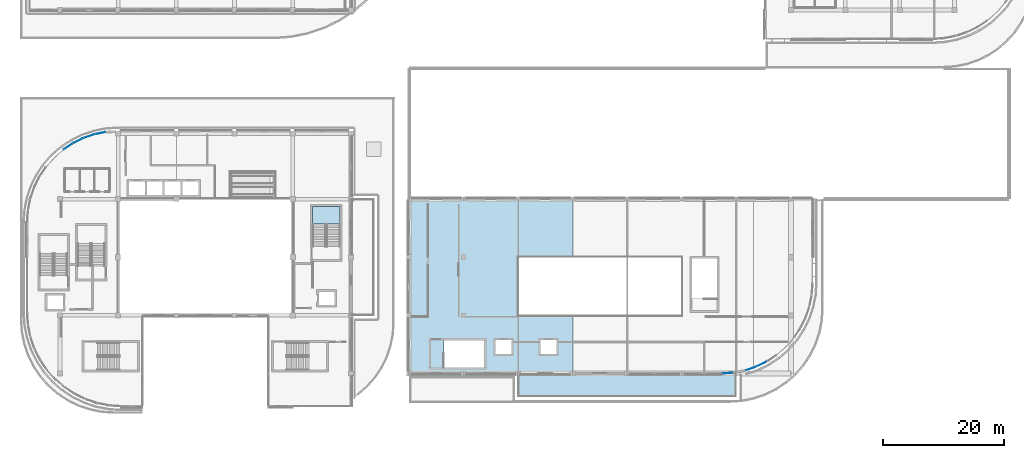
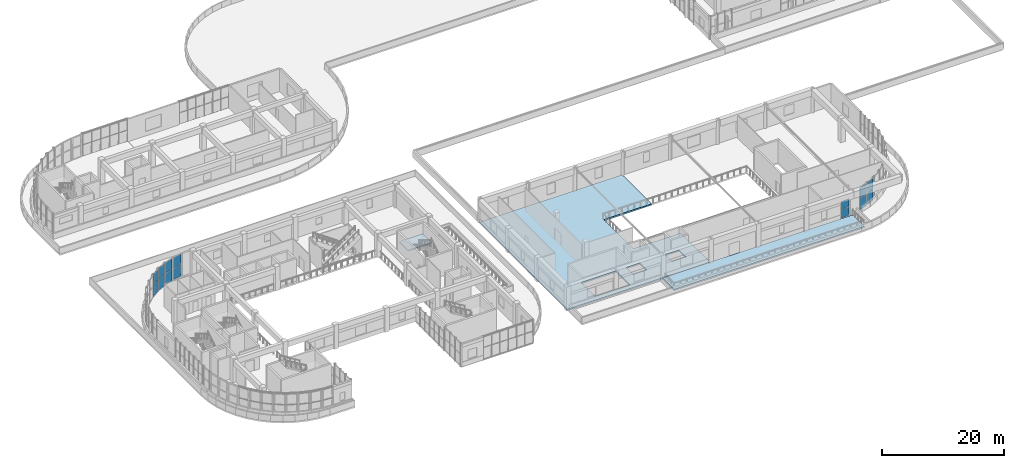
# One storey, part 28 of 67: 14 plates, 3 slabs, 8 elements without a shape of their own.
"""IFC4 building model written with IfcOpenShell, lengths in metres."""

import ifcopenshell
import ifcopenshell.guid

model = None  # the IFC model being written
_history = None  # IfcOwnerHistory: only IFC2X3 demands one
_inside = {}  # id of a spatial element -> (the spatial element, [elements in it])
_under = {}  # id of a project, library or spatial element -> (it, [spatial elements below it])
_declared = {}  # id of a project -> (the project, [libraries it declares])
_typed = {}  # id of a type object -> (the type object, [elements of that type])
_made_of = {}  # id of a material, layer set ... -> (it, [elements and type objects made of it])


def new_model(schema):
    """Start an empty IFC model of exactly this schema.

    Asked for "IFC4X3", IfcOpenShell would pick the latest addendum, in which some entities
    have other attributes; the version numbers below select the first issue.
    IFC2X3 requires an IfcOwnerHistory on every rooted entity: one is made here for all.
    """
    global model, _history
    if schema == "IFC4X3":
        model = ifcopenshell.file(schema_version=(4, 3, 0, 0))
    else:
        model = ifcopenshell.file(schema=schema)
    _inside.clear()
    _under.clear()
    _declared.clear()
    _typed.clear()
    _made_of.clear()
    _history = None
    if model.schema == "IFC2X3":
        org = make("IfcOrganization", Name="unknown")
        user = make(
            "IfcPersonAndOrganization",
            ThePerson=make("IfcPerson", FamilyName="unknown"),
            TheOrganization=org,
        )
        app = make(
            "IfcApplication",
            ApplicationDeveloper=org,
            Version="unknown",
            ApplicationFullName="unknown",
            ApplicationIdentifier="unknown",
        )
        _history = make(
            "IfcOwnerHistory",
            OwningUser=user,
            OwningApplication=app,
            ChangeAction="ADDED",
            CreationDate=0,
        )
    return model


def make(cls, **values):
    """One entity of the class cls with the attributes given. An attribute that is None is left unset."""
    return model.create_entity(
        cls, **{name: value for name, value in values.items() if value is not None}
    )


def rooted(cls, **values):
    """An entity with a GlobalId (a new one), such as an element, a storey or a relation."""
    return make(cls, GlobalId=ifcopenshell.guid.new(), OwnerHistory=_history, **values)


def si_unit(unit_type, name, prefix=None):
    """IfcSIUnit, for example si_unit("LENGTHUNIT", "METRE", prefix="MILLI")."""
    return make("IfcSIUnit", UnitType=unit_type, Prefix=prefix, Name=name)


def assignment(units):
    """IfcUnitAssignment: the units of a project."""
    return None if units is None else make("IfcUnitAssignment", Units=units)


def point(xyz):
    """IfcCartesianPoint."""
    return None if xyz is None else make("IfcCartesianPoint", Coordinates=xyz)


def direction(xyz):
    """IfcDirection."""
    return None if xyz is None else make("IfcDirection", DirectionRatios=xyz)


def frame(location, z_axis=None, x_axis=None):
    """IfcAxis2Placement3D, a coordinate frame: its origin and axes. An axis left out is left unset."""
    return make(
        "IfcAxis2Placement3D",
        Location=point(location),
        Axis=direction(z_axis),
        RefDirection=direction(x_axis),
    )


def frame_2d(location, x_axis=None):
    """IfcAxis2Placement2D, a coordinate frame in the plane: its origin and x axis."""
    return make(
        "IfcAxis2Placement2D", Location=point(location), RefDirection=direction(x_axis)
    )


def origin():
    """The frame at (0, 0, 0) with its axes left unset."""
    return frame((0.0, 0.0, 0.0))


def origin_2d():
    """The frame at (0, 0) in the plane with its x axis left unset."""
    return frame_2d((0.0, 0.0))


def place(relative_to, where):
    """IfcLocalPlacement: puts the frame where relative to a parent placement (None: the world)."""
    return make(
        "IfcLocalPlacement", PlacementRelTo=relative_to, RelativePlacement=where
    )


def context(
    kind, dimensions, precision=None, world=None, true_north=None, identifier=None
):
    """IfcGeometricRepresentationContext, for example the 3D "Model" context."""
    return make(
        "IfcGeometricRepresentationContext",
        ContextIdentifier=identifier,
        ContextType=kind,
        CoordinateSpaceDimension=dimensions,
        Precision=precision,
        WorldCoordinateSystem=world,
        TrueNorth=true_north,
    )


def subcontext(parent, identifier, kind, view, scale=None):
    """IfcGeometricRepresentationSubContext, for example "Body" below "Model"."""
    return make(
        "IfcGeometricRepresentationSubContext",
        ContextIdentifier=identifier,
        ContextType=kind,
        ParentContext=parent,
        TargetScale=scale,
        TargetView=view,
    )


def project(units=None, contexts=None):
    """IfcProject with its units and contexts."""
    return rooted(
        "IfcProject",
        Name="project",
        RepresentationContexts=contexts,
        UnitsInContext=assignment(units),
    )


def spatial(cls, under=None, at=None, **own):
    """A site, building, storey or space (cls), placed at a placement, below another one or the project."""
    s = rooted(cls, ObjectPlacement=at, **own)
    if under is not None:
        _under.setdefault(under.id(), (under, []))[1].append(s)
    return s


def polyline(points):
    """IfcPolyline through the points."""
    return make("IfcPolyline", Points=[point(p) for p in points])


def profile(cls, at=None, kind="AREA", **sizes):
    """A parametric profile (cls). Its sizes go by their IFC names, for example OverallWidth=200.0."""
    return make(cls, ProfileType=kind, Position=at, **sizes)


def rectangle(**sizes):
    """IfcRectangleProfileDef."""
    return profile("IfcRectangleProfileDef", **sizes)


def outline(outer, holes=None, kind="AREA"):
    """IfcArbitraryClosedProfileDef: a profile drawn as a closed curve; with holes, ...WithVoids."""
    if holes is None:
        return make("IfcArbitraryClosedProfileDef", ProfileType=kind, OuterCurve=outer)
    return make(
        "IfcArbitraryProfileDefWithVoids",
        ProfileType=kind,
        OuterCurve=outer,
        InnerCurves=holes,
    )


def extrude(swept, where, along, depth):
    """IfcExtrudedAreaSolid: the profile swept, set in the frame where, extruded along a direction by depth."""
    return make(
        "IfcExtrudedAreaSolid",
        SweptArea=swept,
        Position=where,
        ExtrudedDirection=direction(along),
        Depth=depth,
    )


def shape(context_of_items, identifier, shape_type, items):
    """IfcShapeRepresentation: the items that make up one representation, for example the "Body"."""
    return make(
        "IfcShapeRepresentation",
        ContextOfItems=context_of_items,
        RepresentationIdentifier=identifier,
        RepresentationType=shape_type,
        Items=items,
    )


def material(Name=None, Category=None):
    """IfcMaterial."""
    return make("IfcMaterial", Name=Name, Category=Category)


def layer(
    of_material, thickness, ventilated=None, Name=None, Category=None, Priority=None
):
    """IfcMaterialLayer: one layer of a wall or slab, of a material (None: an air gap)."""
    return make(
        "IfcMaterialLayer",
        Material=of_material,
        LayerThickness=thickness,
        IsVentilated=ventilated,
        Name=Name,
        Category=Category,
        Priority=Priority,
    )


def layer_set(layers, Name=None):
    """IfcMaterialLayerSet."""
    return make("IfcMaterialLayerSet", MaterialLayers=layers, LayerSetName=Name)


def made_of(thing, what):
    """Note that an element or type object is made of a material, layer set ...; save() writes the relation."""
    if what is not None:
        _made_of.setdefault(what.id(), (what, []))[1].append(thing)
    return thing


def type_object(cls, material=None, **own):
    """A type object (cls), such as IfcWallType, which elements share."""
    return made_of(rooted(cls, **own), material)


def element(
    cls,
    number,
    at=None,
    inside=None,
    cuts=None,
    type_object=None,
    material=None,
    context=None,
    identifier="Body",
    shape_type=None,
    held_by="IfcProductDefinitionShape",
    body=None,
    shapes=None,
    **own,
):
    """One element of the class cls, such as IfcWall. Its Tag is "e" and its number.

    at: its placement. inside: the storey or other place that contains it. cuts: it is an
    opening in that element (IfcRelVoidsElement). A single representation is given by context,
    identifier, shape_type and body (its items); several are given by shapes. held_by: the class
    of the entity that holds the representations. save() writes the other relations.
    """
    e = rooted(cls, Tag="e%d" % number, ObjectPlacement=at, **own)
    if body is not None:
        shapes = [shape(context, identifier, shape_type, body)]
    if shapes is not None:
        e.Representation = make(held_by, Representations=shapes)
    if inside is not None:
        _inside.setdefault(inside.id(), (inside, []))[1].append(e)
    if cuts is not None:
        rooted(
            "IfcRelVoidsElement", RelatingBuildingElement=cuts, RelatedOpeningElement=e
        )
    if type_object is not None:
        _typed.setdefault(type_object.id(), (type_object, []))[1].append(e)
    return made_of(e, material)


def aggregate(whole, parts):
    """IfcRelAggregates: a whole, such as a stair, and the parts it consists of."""
    return rooted("IfcRelAggregates", RelatingObject=whole, RelatedObjects=parts)


def save(model, path):
    """Write the relations noted so far, then the file.

    IfcRelAggregates (storeys below a building ...), IfcRelContainedInSpatialStructure (elements
    in a storey), IfcRelDefinesByType, IfcRelAssociatesMaterial and IfcRelDeclares: one each for
    every whole, place, type object, material and project.
    """
    for whole, parts in _under.values():
        aggregate(whole, parts)
    for where, things in _inside.values():
        rooted(
            "IfcRelContainedInSpatialStructure",
            RelatedElements=things,
            RelatingStructure=where,
        )
    for kind, things in _typed.values():
        rooted("IfcRelDefinesByType", RelatedObjects=things, RelatingType=kind)
    for what, things in _made_of.values():
        rooted("IfcRelAssociatesMaterial", RelatedObjects=things, RelatingMaterial=what)
    for by, libraries in _declared.values():
        rooted("IfcRelDeclares", RelatingContext=by, RelatedDefinitions=libraries)
    model.write(path)


model = new_model("IFC4")

# Units and contexts
model_context = context("Model", 3, precision=1e-05, world=origin(), true_north=direction((0.0, 1.0)))
body_context = subcontext(model_context, "Body", "Model", "MODEL_VIEW")
ifc_project = project(units=[si_unit("LENGTHUNIT", "METRE"), si_unit("AREAUNIT", "SQUARE_METRE"), si_unit("VOLUMEUNIT", "CUBIC_METRE"), si_unit("PLANEANGLEUNIT", "RADIAN"), si_unit("MASSUNIT", "GRAM", prefix="KILO")], contexts=[model_context])

# Site, building, storey
site_placement = place(None, origin())
site = spatial("IfcSite", under=ifc_project, at=site_placement, CompositionType="ELEMENT")
building_placement = place(site_placement, origin())
building = spatial("IfcBuilding", under=site, at=building_placement, Name="Cendralis Terraced Arcade", CompositionType="ELEMENT")
storey_placement = place(building_placement, frame((0.0, 0.0, 15.0)))
storey = spatial("IfcBuildingStorey", under=building, at=storey_placement, Name="L03", CompositionType="ELEMENT", Elevation=15.0)

# Curtain wall, plates
ifc_material_1 = material(Name="Anodised aluminium EN AW-6063 T6", Category="aluminium")
ifc_layer_1 = layer(ifc_material_1, 0.179931640625, Name="CW-UNIT-A")
ifc_layer_set_1 = layer_set([ifc_layer_1], Name="Anodised aluminium EN AW-6063 T6")
curtain_wall_type = type_object("IfcCurtainWallType", Name="CW-UNIT-A", PredefinedType="USERDEFINED", material=ifc_layer_set_1)
curtain_wall_1_placement = place(storey_placement, origin())
curtain_wall_1 = element("IfcCurtainWall", 1, at=curtain_wall_1_placement, inside=storey, type_object=curtain_wall_type, Name="Exterior Unitised Facade CW-L03-0267", ObjectType="UNITISED FACADE", PredefinedType="USERDEFINED")
ifc_material_2 = material(Name="Tempered solar control laminated glass", Category="glass")
ifc_layer_2 = layer(ifc_material_2, 0.035888671875, Name="CW-UNIT-A-PNL")
ifc_layer_set_2 = layer_set([ifc_layer_2], Name="Tempered solar control laminated glass")
plate_type = type_object("IfcPlateType", Name="CW-UNIT-A-PNL", PredefinedType="CURTAIN_PANEL", material=ifc_layer_set_2)
plate_1_placement = place(storey_placement, frame((125.420166015625, 11.17578125, 0.06494140625), z_axis=(0.0, 0.0, 1.0), x_axis=(-0.896871480419, -0.442291247495, 0.0)))
plate_1 = element("IfcPlate", 2, at=plate_1_placement, type_object=plate_type, Name="CW-U1 panel 1.1", PredefinedType="CURTAIN_PANEL", context=body_context, shape_type="SweptSolid", body=[
    extrude(rectangle(XDim=1.652099609375, YDim=0.035888671875, at=origin_2d()), origin(), (0.0, 0.0, 1.0), 2.2529296875),
])
plate_2_placement = place(storey_placement, frame((125.420166015625, 11.17578125, 2.3828125), z_axis=(0.0, 0.0, 1.0), x_axis=(-0.896871480419, -0.442291247495, 0.0)))
plate_2 = element("IfcPlate", 3, at=plate_2_placement, type_object=plate_type, Name="CW-U1 panel 1.2", PredefinedType="CURTAIN_PANEL", context=body_context, shape_type="SweptSolid", body=[
    extrude(rectangle(XDim=1.652099609375, YDim=0.035888671875, at=origin_2d()), origin(), (0.0, 0.0, 1.0), 2.072021484375),
])
aggregate(curtain_wall_1, [plate_1, plate_2])

curtain_wall_2_placement = place(storey_placement, origin())
curtain_wall_2 = element("IfcCurtainWall", 4, at=curtain_wall_2_placement, inside=storey, type_object=curtain_wall_type, Name="Exterior Unitised Facade CW-L03-0268", ObjectType="UNITISED FACADE", PredefinedType="USERDEFINED")
plate_3_placement = place(storey_placement, frame((123.611328125, 10.426513671875, 0.06494140625), z_axis=(0.0, 0.0, 1.0), x_axis=(-0.946923811316, -0.321458077458, 0.0)))
plate_3 = element("IfcPlate", 5, at=plate_3_placement, type_object=plate_type, Name="CW-U1 panel 1.1", PredefinedType="CURTAIN_PANEL", context=body_context, shape_type="SweptSolid", body=[
    extrude(rectangle(XDim=1.652099609375, YDim=0.035888671875, at=origin_2d()), origin(), (0.0, 0.0, 1.0), 2.2529296875),
])
plate_4_placement = place(storey_placement, frame((123.611328125, 10.426513671875, 2.3828125), z_axis=(0.0, 0.0, 1.0), x_axis=(-0.946923811316, -0.321458077458, 0.0)))
plate_4 = element("IfcPlate", 6, at=plate_4_placement, type_object=plate_type, Name="CW-U1 panel 1.2", PredefinedType="CURTAIN_PANEL", context=body_context, shape_type="SweptSolid", body=[
    extrude(rectangle(XDim=1.652099609375, YDim=0.035888671875, at=origin_2d()), origin(), (0.0, 0.0, 1.0), 2.072021484375),
])
aggregate(curtain_wall_2, [plate_3, plate_4])

curtain_wall_3_placement = place(storey_placement, origin())
curtain_wall_3 = element("IfcCurtainWall", 7, at=curtain_wall_3_placement, inside=storey, type_object=curtain_wall_type, Name="Exterior Unitised Facade CW-L03-0269", ObjectType="UNITISED FACADE", PredefinedType="USERDEFINED")
plate_5_placement = place(storey_placement, frame((119.756103515625, 9.66259765625, 0.06494140625), z_axis=(0.0, 0.0, 1.0), x_axis=(-0.997861446629, -0.065364618342, 0.0)))
plate_5 = element("IfcPlate", 8, at=plate_5_placement, type_object=plate_type, Name="CW-U1 panel 1.1", PredefinedType="CURTAIN_PANEL", context=body_context, shape_type="SweptSolid", body=[
    extrude(rectangle(XDim=1.6064453125, YDim=0.035888671875, at=origin_2d()), origin(), (0.0, 0.0, 1.0), 1.71728515625),
])
plate_6_placement = place(storey_placement, frame((119.756103515625, 9.66259765625, 1.847412109375), z_axis=(0.0, 0.0, 1.0), x_axis=(-0.997861446629, -0.065364618342, 0.0)))
plate_6 = element("IfcPlate", 9, at=plate_6_placement, type_object=plate_type, Name="CW-U1 panel 1.2", PredefinedType="CURTAIN_PANEL", context=body_context, shape_type="SweptSolid", body=[
    extrude(rectangle(XDim=1.6064453125, YDim=0.035888671875, at=origin_2d()), origin(), (0.0, 0.0, 1.0), 1.57763671875),
])
aggregate(curtain_wall_3, [plate_5, plate_6])

curtain_wall_4_placement = place(storey_placement, origin())
curtain_wall_4 = element("IfcCurtainWall", 10, at=curtain_wall_4_placement, inside=storey, type_object=curtain_wall_type, Name="Exterior Unitised Facade CW-L03-0276", ObjectType="UNITISED FACADE", PredefinedType="USERDEFINED")
plate_7_placement = place(storey_placement, frame((10.88427734375, 47.04541015625, 0.06494140625), z_axis=(0.0, 0.0, 1.0), x_axis=(0.831471454125, 0.555567476528, 0.0)))
plate_7 = element("IfcPlate", 11, at=plate_7_placement, type_object=plate_type, Name="CW-U1 panel 1.1", PredefinedType="CURTAIN_PANEL", context=body_context, shape_type="SweptSolid", body=[
    extrude(rectangle(XDim=1.652099609375, YDim=0.035888671875, at=origin_2d()), origin(), (0.0, 0.0, 1.0), 2.2529296875),
])
plate_8_placement = place(storey_placement, frame((10.88427734375, 47.04541015625, 2.3828125), z_axis=(0.0, 0.0, 1.0), x_axis=(0.831471454125, 0.555567476528, 0.0)))
plate_8 = element("IfcPlate", 12, at=plate_8_placement, type_object=plate_type, Name="CW-U1 panel 1.2", PredefinedType="CURTAIN_PANEL", context=body_context, shape_type="SweptSolid", body=[
    extrude(rectangle(XDim=1.652099609375, YDim=0.035888671875, at=origin_2d()), origin(), (0.0, 0.0, 1.0), 2.072021484375),
])
aggregate(curtain_wall_4, [plate_7, plate_8])

curtain_wall_5_placement = place(storey_placement, origin())
curtain_wall_5 = element("IfcCurtainWall", 13, at=curtain_wall_5_placement, inside=storey, type_object=curtain_wall_type, Name="Exterior Unitised Facade CW-L03-0277", ObjectType="UNITISED FACADE", PredefinedType="USERDEFINED")
plate_9_placement = place(storey_placement, frame((12.579833984375, 48.0244140625, 0.06494140625), z_axis=(0.0, 0.0, 1.0), x_axis=(0.896871480419, 0.442291247495, 0.0)))
plate_9 = element("IfcPlate", 14, at=plate_9_placement, type_object=plate_type, Name="CW-U1 panel 1.1", PredefinedType="CURTAIN_PANEL", context=body_context, shape_type="SweptSolid", body=[
    extrude(rectangle(XDim=1.652099609375, YDim=0.035888671875, at=origin_2d()), origin(), (0.0, 0.0, 1.0), 2.2529296875),
])
plate_10_placement = place(storey_placement, frame((12.579833984375, 48.0244140625, 2.3828125), z_axis=(0.0, 0.0, 1.0), x_axis=(0.896871480419, 0.442291247495, 0.0)))
plate_10 = element("IfcPlate", 15, at=plate_10_placement, type_object=plate_type, Name="CW-U1 panel 1.2", PredefinedType="CURTAIN_PANEL", context=body_context, shape_type="SweptSolid", body=[
    extrude(rectangle(XDim=1.652099609375, YDim=0.035888671875, at=origin_2d()), origin(), (0.0, 0.0, 1.0), 2.072021484375),
])
aggregate(curtain_wall_5, [plate_9, plate_10])

curtain_wall_6_placement = place(storey_placement, origin())
curtain_wall_6 = element("IfcCurtainWall", 16, at=curtain_wall_6_placement, inside=storey, type_object=curtain_wall_type, Name="Exterior Unitised Facade CW-L03-0278", ObjectType="UNITISED FACADE", PredefinedType="USERDEFINED")
plate_11_placement = place(storey_placement, frame((14.388671875, 48.7734375, 0.06494140625), z_axis=(0.0, 0.0, 1.0), x_axis=(0.946923811316, 0.321458077458, 0.0)))
plate_11 = element("IfcPlate", 17, at=plate_11_placement, type_object=plate_type, Name="CW-U1 panel 1.1", PredefinedType="CURTAIN_PANEL", context=body_context, shape_type="SweptSolid", body=[
    extrude(rectangle(XDim=1.652099609375, YDim=0.035888671875, at=origin_2d()), origin(), (0.0, 0.0, 1.0), 2.2529296875),
])
plate_12_placement = place(storey_placement, frame((14.388671875, 48.7734375, 2.3828125), z_axis=(0.0, 0.0, 1.0), x_axis=(0.946923811316, 0.321458077458, 0.0)))
plate_12 = element("IfcPlate", 18, at=plate_12_placement, type_object=plate_type, Name="CW-U1 panel 1.2", PredefinedType="CURTAIN_PANEL", context=body_context, shape_type="SweptSolid", body=[
    extrude(rectangle(XDim=1.652099609375, YDim=0.035888671875, at=origin_2d()), origin(), (0.0, 0.0, 1.0), 2.072021484375),
])
aggregate(curtain_wall_6, [plate_11, plate_12])

curtain_wall_7_placement = place(storey_placement, origin())
curtain_wall_7 = element("IfcCurtainWall", 19, at=curtain_wall_7_placement, inside=storey, type_object=curtain_wall_type, Name="Exterior Unitised Facade CW-L03-0279", ObjectType="UNITISED FACADE", PredefinedType="USERDEFINED")
plate_13_placement = place(storey_placement, frame((16.27978515625, 49.2802734375, 0.06494140625), z_axis=(0.0, 0.0, 1.0), x_axis=(0.980791618721, 0.195058454434, 0.0)))
plate_13 = element("IfcPlate", 20, at=plate_13_placement, type_object=plate_type, Name="CW-U1 panel 1.1", PredefinedType="CURTAIN_PANEL", context=body_context, shape_type="SweptSolid", body=[
    extrude(rectangle(XDim=1.652099609375, YDim=0.035888671875, at=origin_2d()), origin(), (0.0, 0.0, 1.0), 2.2529296875),
])
plate_14_placement = place(storey_placement, frame((16.27978515625, 49.2802734375, 2.3828125), z_axis=(0.0, 0.0, 1.0), x_axis=(0.980791618721, 0.195058454434, 0.0)))
plate_14 = element("IfcPlate", 21, at=plate_14_placement, type_object=plate_type, Name="CW-U1 panel 1.2", PredefinedType="CURTAIN_PANEL", context=body_context, shape_type="SweptSolid", body=[
    extrude(rectangle(XDim=1.652099609375, YDim=0.035888671875, at=origin_2d()), origin(), (0.0, 0.0, 1.0), 2.072021484375),
])
aggregate(curtain_wall_7, [plate_13, plate_14])

# Slab
ifc_material_3 = material(Name="Concrete f'c 35 MPa", Category="concrete")
ifc_layer_3 = layer(ifc_material_3, 0.284912109375, Name="SLB-L03-285")
ifc_layer_set_3 = layer_set([ifc_layer_3], Name="Concrete f'c 35 MPa")
slab_type_1 = type_object("IfcSlabType", Name="SLB-L03-285", PredefinedType="FLOOR", material=ifc_layer_set_3)
slab_1_placement = place(storey_placement, frame((0.0, 0.0, -0.284912109375)))
element("IfcSlab", 22, at=slab_1_placement, inside=storey, type_object=slab_type_1, Name="Reinforced Concrete Floor Slab SLB-L03-V4-C1-1", PredefinedType="FLOOR", context=body_context, shape_type="SweptSolid", body=[
    extrude(outline(polyline([(94.199951171875, 28.800048828125), (85.199951171875, 28.800048828125), (85.199951171875, 19.199951171875), (94.199951171875, 19.199951171875), (94.199951171875, 9.60009765625), (67.199951171875, 9.60009765625), (67.199951171875, 38.39990234375), (94.199951171875, 38.39990234375), (94.199951171875, 28.800048828125)]), holes=[polyline([(79.60009765625, 15.10009765625), (72.97998046875, 15.10009765625), (72.97998046875, 10.60009765625), (79.60009765625, 10.60009765625), (79.60009765625, 15.10009765625)]), polyline([(81.5, 15.125), (81.5, 12.875), (84.10009765625, 12.875), (84.10009765625, 15.125), (81.5, 15.125)]), polyline([(91.5, 15.125), (88.89990234375, 15.125), (88.89990234375, 12.875), (91.5, 12.875), (91.5, 15.125)])]), origin(), (0.0, 0.0, 1.0), 0.284912109375),
])

# Stair, slab
stair_type = type_object("IfcStairType", Name="STR-W215-H480", PredefinedType="HALF_TURN_STAIR", material=ifc_material_3)
stair_placement = place(storey_placement, origin())
stair = element("IfcStair", 23, at=stair_placement, inside=storey, type_object=stair_type, Name="L03 Protected Exit Stair ST-04", PredefinedType="HALF_TURN_STAIR")
ifc_layer_4 = layer(ifc_material_3, 0.199951171875, Name="SLB-STAIR-LND-200")
ifc_layer_set_4 = layer_set([ifc_layer_4], Name="Concrete f'c 35 MPa")
slab_type_2 = type_object("IfcSlabType", Name="SLB-STAIR-LND-200", PredefinedType="LANDING", material=ifc_layer_set_4)
slab_2_placement = place(storey_placement, frame((0.0, 0.0, 2.199951171875)))
slab_2 = element("IfcSlab", 24, at=slab_2_placement, type_object=slab_type_2, Name="ST-04 landing 1", PredefinedType="LANDING", context=body_context, shape_type="SweptSolid", body=[
    extrude(outline(polyline([(55.800048828125, 34.2548828125), (55.800048828125, 37.199951171875), (51.300048828125, 37.199951171875), (51.300048828125, 34.2548828125), (55.800048828125, 34.2548828125)])), origin(), (0.0, 0.0, 1.0), 0.199951171875),
])
aggregate(stair, [slab_2])

# Slab
ifc_layer_5 = layer(ifc_material_3, 0.284912109375, Name="SLB-TER-250")
ifc_layer_set_5 = layer_set([ifc_layer_5], Name="Concrete f'c 35 MPa")
slab_type_3 = type_object("IfcSlabType", Name="SLB-TER-250", PredefinedType="FLOOR", material=ifc_layer_set_5)
slab_3_placement = place(storey_placement, frame((0.0, 0.0, -0.284912109375)))
element("IfcSlab", 25, at=slab_3_placement, inside=storey, type_object=slab_type_3, Name="Planted Food Hall South Terrace L03", PredefinedType="FLOOR", context=body_context, shape_type="SweptSolid", body=[
    extrude(outline(polyline([(121.199951171875, 9.60009765625), (121.199951171875, 5.800048828125), (85.199951171875, 5.800048828125), (85.199951171875, 9.580078125), (121.199951171875, 9.60009765625)])), origin(), (0.0, 0.0, 1.0), 0.284912109375),
])

save(model, "model.ifc")
